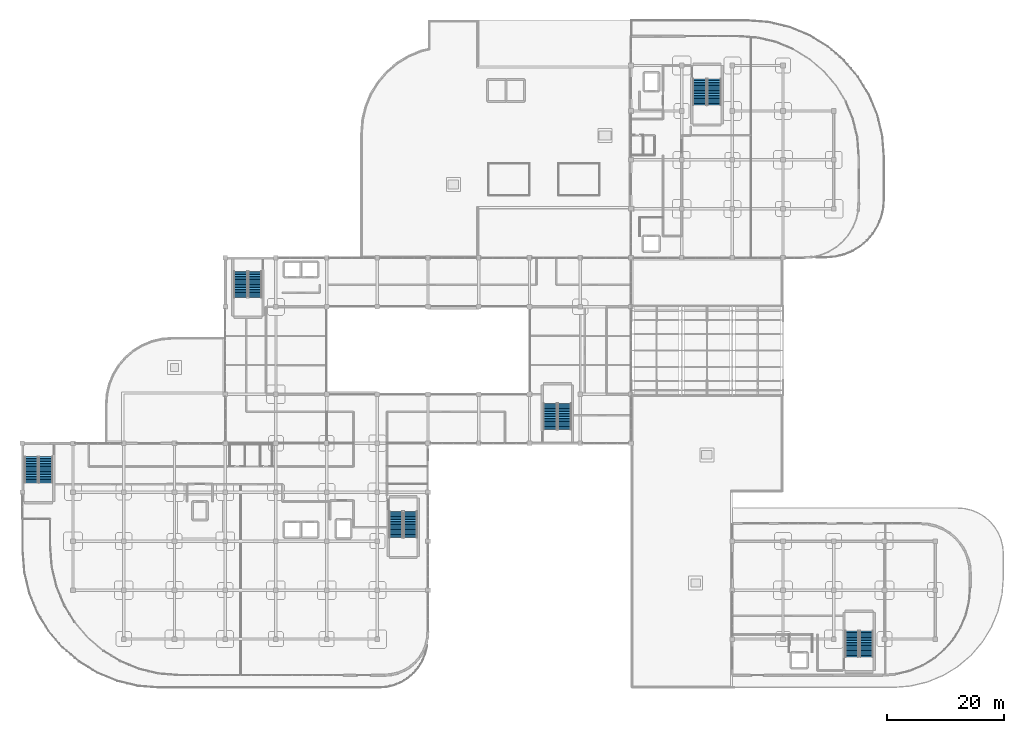
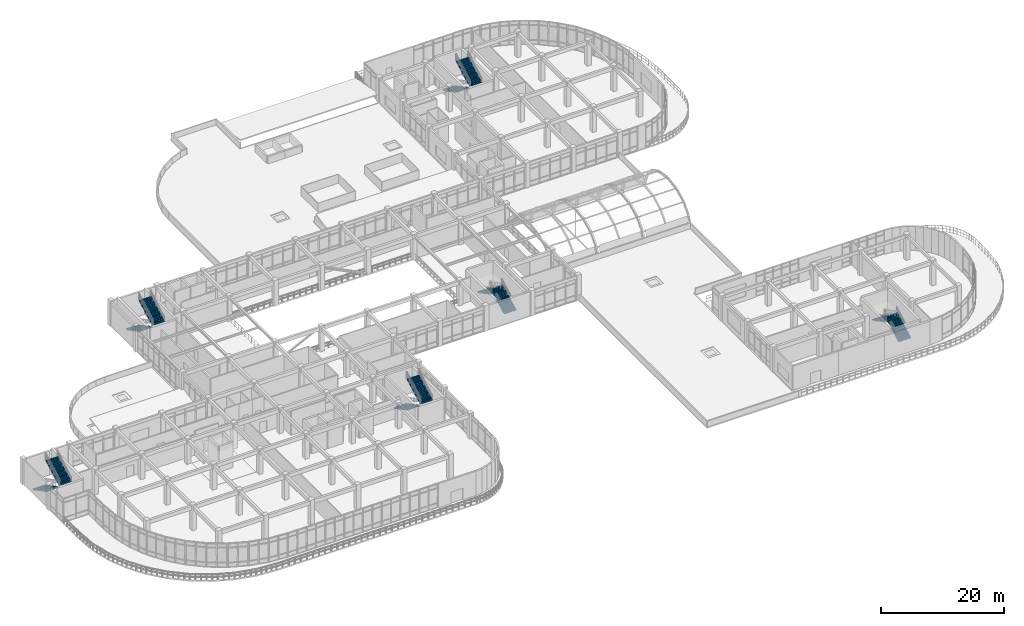
# One storey, part 112 of 124: 12 stair flights, 6 elements without a shape of their own.
"""IFC4 building model written with IfcOpenShell, lengths in metres."""

import ifcopenshell
import ifcopenshell.guid

model = None  # the IFC model being written
_history = None  # IfcOwnerHistory: only IFC2X3 demands one
_inside = {}  # id of a spatial element -> (the spatial element, [elements in it])
_under = {}  # id of a project, library or spatial element -> (it, [spatial elements below it])
_declared = {}  # id of a project -> (the project, [libraries it declares])
_typed = {}  # id of a type object -> (the type object, [elements of that type])
_made_of = {}  # id of a material, layer set ... -> (it, [elements and type objects made of it])


def new_model(schema):
    """Start an empty IFC model of exactly this schema.

    Asked for "IFC4X3", IfcOpenShell would pick the latest addendum, in which some entities
    have other attributes; the version numbers below select the first issue.
    IFC2X3 requires an IfcOwnerHistory on every rooted entity: one is made here for all.
    """
    global model, _history
    if schema == "IFC4X3":
        model = ifcopenshell.file(schema_version=(4, 3, 0, 0))
    else:
        model = ifcopenshell.file(schema=schema)
    _inside.clear()
    _under.clear()
    _declared.clear()
    _typed.clear()
    _made_of.clear()
    _history = None
    if model.schema == "IFC2X3":
        org = make("IfcOrganization", Name="unknown")
        user = make(
            "IfcPersonAndOrganization",
            ThePerson=make("IfcPerson", FamilyName="unknown"),
            TheOrganization=org,
        )
        app = make(
            "IfcApplication",
            ApplicationDeveloper=org,
            Version="unknown",
            ApplicationFullName="unknown",
            ApplicationIdentifier="unknown",
        )
        _history = make(
            "IfcOwnerHistory",
            OwningUser=user,
            OwningApplication=app,
            ChangeAction="ADDED",
            CreationDate=0,
        )
    return model


def make(cls, **values):
    """One entity of the class cls with the attributes given. An attribute that is None is left unset."""
    return model.create_entity(
        cls, **{name: value for name, value in values.items() if value is not None}
    )


def rooted(cls, **values):
    """An entity with a GlobalId (a new one), such as an element, a storey or a relation."""
    return make(cls, GlobalId=ifcopenshell.guid.new(), OwnerHistory=_history, **values)


def si_unit(unit_type, name, prefix=None):
    """IfcSIUnit, for example si_unit("LENGTHUNIT", "METRE", prefix="MILLI")."""
    return make("IfcSIUnit", UnitType=unit_type, Prefix=prefix, Name=name)


def derived_unit(unit_type, elements):
    """IfcDerivedUnit: a product of units, each with its exponent."""
    return make(
        "IfcDerivedUnit",
        Elements=[
            make("IfcDerivedUnitElement", Unit=unit, Exponent=power)
            for unit, power in elements
        ],
        UnitType=unit_type,
    )


def assignment(units):
    """IfcUnitAssignment: the units of a project."""
    return None if units is None else make("IfcUnitAssignment", Units=units)


def point(xyz):
    """IfcCartesianPoint."""
    return None if xyz is None else make("IfcCartesianPoint", Coordinates=xyz)


def direction(xyz):
    """IfcDirection."""
    return None if xyz is None else make("IfcDirection", DirectionRatios=xyz)


def frame(location, z_axis=None, x_axis=None):
    """IfcAxis2Placement3D, a coordinate frame: its origin and axes. An axis left out is left unset."""
    return make(
        "IfcAxis2Placement3D",
        Location=point(location),
        Axis=direction(z_axis),
        RefDirection=direction(x_axis),
    )


def origin():
    """The frame at (0, 0, 0) with its axes left unset."""
    return frame((0.0, 0.0, 0.0))


def place(relative_to, where):
    """IfcLocalPlacement: puts the frame where relative to a parent placement (None: the world)."""
    return make(
        "IfcLocalPlacement", PlacementRelTo=relative_to, RelativePlacement=where
    )


def context(
    kind, dimensions, precision=None, world=None, true_north=None, identifier=None
):
    """IfcGeometricRepresentationContext, for example the 3D "Model" context."""
    return make(
        "IfcGeometricRepresentationContext",
        ContextIdentifier=identifier,
        ContextType=kind,
        CoordinateSpaceDimension=dimensions,
        Precision=precision,
        WorldCoordinateSystem=world,
        TrueNorth=true_north,
    )


def subcontext(parent, identifier, kind, view, scale=None):
    """IfcGeometricRepresentationSubContext, for example "Body" below "Model"."""
    return make(
        "IfcGeometricRepresentationSubContext",
        ContextIdentifier=identifier,
        ContextType=kind,
        ParentContext=parent,
        TargetScale=scale,
        TargetView=view,
    )


def project(units=None, contexts=None):
    """IfcProject with its units and contexts."""
    return rooted(
        "IfcProject",
        Name="project",
        RepresentationContexts=contexts,
        UnitsInContext=assignment(units),
    )


def spatial(cls, under=None, at=None, **own):
    """A site, building, storey or space (cls), placed at a placement, below another one or the project."""
    s = rooted(cls, ObjectPlacement=at, **own)
    if under is not None:
        _under.setdefault(under.id(), (under, []))[1].append(s)
    return s


def polyline(points):
    """IfcPolyline through the points."""
    return make("IfcPolyline", Points=[point(p) for p in points])


def outline(outer, holes=None, kind="AREA"):
    """IfcArbitraryClosedProfileDef: a profile drawn as a closed curve; with holes, ...WithVoids."""
    if holes is None:
        return make("IfcArbitraryClosedProfileDef", ProfileType=kind, OuterCurve=outer)
    return make(
        "IfcArbitraryProfileDefWithVoids",
        ProfileType=kind,
        OuterCurve=outer,
        InnerCurves=holes,
    )


def extrude(swept, where, along, depth):
    """IfcExtrudedAreaSolid: the profile swept, set in the frame where, extruded along a direction by depth."""
    return make(
        "IfcExtrudedAreaSolid",
        SweptArea=swept,
        Position=where,
        ExtrudedDirection=direction(along),
        Depth=depth,
    )


def shape(context_of_items, identifier, shape_type, items):
    """IfcShapeRepresentation: the items that make up one representation, for example the "Body"."""
    return make(
        "IfcShapeRepresentation",
        ContextOfItems=context_of_items,
        RepresentationIdentifier=identifier,
        RepresentationType=shape_type,
        Items=items,
    )


def material(Name=None, Category=None):
    """IfcMaterial."""
    return make("IfcMaterial", Name=Name, Category=Category)


def made_of(thing, what):
    """Note that an element or type object is made of a material, layer set ...; save() writes the relation."""
    if what is not None:
        _made_of.setdefault(what.id(), (what, []))[1].append(thing)
    return thing


def type_object(cls, material=None, **own):
    """A type object (cls), such as IfcWallType, which elements share."""
    return made_of(rooted(cls, **own), material)


def element(
    cls,
    number,
    at=None,
    inside=None,
    cuts=None,
    type_object=None,
    material=None,
    context=None,
    identifier="Body",
    shape_type=None,
    held_by="IfcProductDefinitionShape",
    body=None,
    shapes=None,
    **own,
):
    """One element of the class cls, such as IfcWall. Its Tag is "e" and its number.

    at: its placement. inside: the storey or other place that contains it. cuts: it is an
    opening in that element (IfcRelVoidsElement). A single representation is given by context,
    identifier, shape_type and body (its items); several are given by shapes. held_by: the class
    of the entity that holds the representations. save() writes the other relations.
    """
    e = rooted(cls, Tag="e%d" % number, ObjectPlacement=at, **own)
    if body is not None:
        shapes = [shape(context, identifier, shape_type, body)]
    if shapes is not None:
        e.Representation = make(held_by, Representations=shapes)
    if inside is not None:
        _inside.setdefault(inside.id(), (inside, []))[1].append(e)
    if cuts is not None:
        rooted(
            "IfcRelVoidsElement", RelatingBuildingElement=cuts, RelatedOpeningElement=e
        )
    if type_object is not None:
        _typed.setdefault(type_object.id(), (type_object, []))[1].append(e)
    return made_of(e, material)


def aggregate(whole, parts):
    """IfcRelAggregates: a whole, such as a stair, and the parts it consists of."""
    return rooted("IfcRelAggregates", RelatingObject=whole, RelatedObjects=parts)


def save(model, path):
    """Write the relations noted so far, then the file.

    IfcRelAggregates (storeys below a building ...), IfcRelContainedInSpatialStructure (elements
    in a storey), IfcRelDefinesByType, IfcRelAssociatesMaterial and IfcRelDeclares: one each for
    every whole, place, type object, material and project.
    """
    for whole, parts in _under.values():
        aggregate(whole, parts)
    for where, things in _inside.values():
        rooted(
            "IfcRelContainedInSpatialStructure",
            RelatedElements=things,
            RelatingStructure=where,
        )
    for kind, things in _typed.values():
        rooted("IfcRelDefinesByType", RelatedObjects=things, RelatingType=kind)
    for what, things in _made_of.values():
        rooted("IfcRelAssociatesMaterial", RelatedObjects=things, RelatingMaterial=what)
    for by, libraries in _declared.values():
        rooted("IfcRelDeclares", RelatingContext=by, RelatedDefinitions=libraries)
    model.write(path)


model = new_model("IFC4")

# Units and contexts
model_context = context("Model", 3, precision=1e-05, world=origin(), true_north=direction((0.0, 1.0)))
body_context = subcontext(model_context, "Body", "Model", "MODEL_VIEW")
ifc_project = project(units=[si_unit("LENGTHUNIT", "METRE"), si_unit("AREAUNIT", "SQUARE_METRE"), si_unit("VOLUMEUNIT", "CUBIC_METRE"), si_unit("PLANEANGLEUNIT", "RADIAN"), si_unit("MASSUNIT", "GRAM", prefix="KILO"), derived_unit("THERMALTRANSMITTANCEUNIT", [(si_unit("MASSUNIT", "GRAM", prefix="KILO"), 1), (si_unit("TIMEUNIT", "SECOND"), -3), (si_unit("THERMODYNAMICTEMPERATUREUNIT", "KELVIN"), -1)])], contexts=[model_context])

# Site, building, storey
site_placement = place(None, origin())
site = spatial("IfcSite", under=ifc_project, at=site_placement, CompositionType="ELEMENT")
building_placement = place(site_placement, origin())
building = spatial("IfcBuilding", under=site, at=building_placement, Name="Qinzheling Arcade Emporium", CompositionType="ELEMENT")
storey_placement = place(building_placement, frame((0.0, 0.0, 16.5)))
storey = spatial("IfcBuildingStorey", under=building, at=storey_placement, Name="L04", CompositionType="ELEMENT", Elevation=16.5)

# Stair, stair flights
ifc_material = material(Name="Concrete C40", Category="concrete")
stair_type = type_object("IfcStairType", Name="Cast-in-Situ Dog-Leg Escape Stair H5100", PredefinedType="HALF_TURN_STAIR", material=ifc_material)
stair_1_placement = place(storey_placement, origin())
stair_1 = element("IfcStair", 1, at=stair_1_placement, inside=storey, type_object=stair_type, Name="L04 ST01", PredefinedType="HALF_TURN_STAIR")
stair_flight_type = type_object("IfcStairFlightType", Name="Cast-in-Situ Straight Stair Flight 150x280 H5100", PredefinedType="STRAIGHT", material=ifc_material)
stair_flight_1_placement = place(storey_placement, frame((64.110107421875, 30.280029296875, 0.0), z_axis=(0.0, 0.0, 1.0), x_axis=(0.0, -1.0, 0.0)))
stair_flight_1 = element("IfcStairFlight", 2, at=stair_flight_1_placement, type_object=stair_flight_type, Name="ST01 flight 1", NumberOfRisers=17, NumberOfTreads=16, PredefinedType="STRAIGHT", RiserHeight=0.15, TreadLength=0.28, context=body_context, shape_type="SweptSolid", body=[
    extrude(outline(polyline([(0.0, 0.0), (0.0, 0.14990234375), (0.280029296875, 0.14990234375), (0.280029296875, 0.300048828125), (0.56005859375, 0.300048828125), (0.56005859375, 0.449951171875), (0.840087890625, 0.449951171875), (0.840087890625, 0.60009765625), (1.1201171875, 0.60009765625), (1.1201171875, 0.75), (1.39990234375, 0.75), (1.39990234375, 0.89990234375), (1.679931640625, 0.89990234375), (1.679931640625, 1.050048828125), (1.9599609375, 1.050048828125), (1.9599609375, 1.199951171875), (2.239990234375, 1.199951171875), (2.239990234375, 1.35009765625), (2.52001953125, 1.35009765625), (2.52001953125, 1.5), (2.800048828125, 1.5), (2.800048828125, 1.64990234375), (3.080078125, 1.64990234375), (3.080078125, 1.800048828125), (3.360107421875, 1.800048828125), (3.360107421875, 1.949951171875), (3.639892578125, 1.949951171875), (3.639892578125, 2.10009765625), (3.919921875, 2.10009765625), (3.919921875, 2.25), (4.199951171875, 2.25), (4.199951171875, 2.39990234375), (4.47998046875, 2.39990234375), (4.47998046875, 2.550048828125), (4.47998046875, 2.218505859375), (0.338623046875, 0.0), (0.0, 0.0)])), frame((0.0, 1.16015625, 0.0), z_axis=(0.0, -1.0, 0.0), x_axis=(1.0, 0.0, 0.0)), (0.0, 0.0, 1.0), 2.320068359375),
])
stair_flight_2_placement = place(storey_placement, frame((66.580078125, 25.800048828125, 2.550048828125), z_axis=(0.0, 0.0, 1.0), x_axis=(0.0, 1.0, 0.0)))
stair_flight_2 = element("IfcStairFlight", 3, at=stair_flight_2_placement, type_object=stair_flight_type, Name="ST01 flight 2", NumberOfRisers=17, NumberOfTreads=16, PredefinedType="STRAIGHT", RiserHeight=0.15, TreadLength=0.28, context=body_context, shape_type="SweptSolid", body=[
    extrude(outline(polyline([(0.0, 0.0), (0.0, 0.14990234375), (0.280029296875, 0.14990234375), (0.280029296875, 0.300048828125), (0.56005859375, 0.300048828125), (0.56005859375, 0.449951171875), (0.840087890625, 0.449951171875), (0.840087890625, 0.60009765625), (1.1201171875, 0.60009765625), (1.1201171875, 0.75), (1.39990234375, 0.75), (1.39990234375, 0.89990234375), (1.679931640625, 0.89990234375), (1.679931640625, 1.050048828125), (1.9599609375, 1.050048828125), (1.9599609375, 1.199951171875), (2.239990234375, 1.199951171875), (2.239990234375, 1.35009765625), (2.52001953125, 1.35009765625), (2.52001953125, 1.5), (2.800048828125, 1.5), (2.800048828125, 1.64990234375), (3.080078125, 1.64990234375), (3.080078125, 1.800048828125), (3.360107421875, 1.800048828125), (3.360107421875, 1.949951171875), (3.639892578125, 1.949951171875), (3.639892578125, 2.10009765625), (3.919921875, 2.10009765625), (3.919921875, 2.25), (4.199951171875, 2.25), (4.199951171875, 2.39990234375), (4.47998046875, 2.39990234375), (4.47998046875, 2.550048828125), (4.47998046875, 2.218505859375), (0.338623046875, 0.0), (0.0, 0.0)])), frame((0.0, 1.16015625, 0.0), z_axis=(0.0, -1.0, 0.0), x_axis=(1.0, 0.0, 0.0)), (0.0, 0.0, 1.0), 2.320068359375),
])
aggregate(stair_1, [stair_flight_1, stair_flight_2])

stair_2_placement = place(storey_placement, origin())
stair_2 = element("IfcStair", 4, at=stair_2_placement, inside=storey, type_object=stair_type, Name="L04 ST02", PredefinedType="HALF_TURN_STAIR")
stair_flight_3_placement = place(storey_placement, frame((1.56005859375, 39.679931640625, 0.0), z_axis=(0.0, 0.0, 1.0), x_axis=(0.0, -1.0, 0.0)))
stair_flight_3 = element("IfcStairFlight", 5, at=stair_flight_3_placement, type_object=stair_flight_type, Name="ST02 flight 1", NumberOfRisers=17, NumberOfTreads=16, PredefinedType="STRAIGHT", RiserHeight=0.15, TreadLength=0.28, context=body_context, shape_type="SweptSolid", body=[
    extrude(outline(polyline([(0.0, 0.0), (0.0, 0.14990234375), (0.280029296875, 0.14990234375), (0.280029296875, 0.300048828125), (0.56005859375, 0.300048828125), (0.56005859375, 0.449951171875), (0.840087890625, 0.449951171875), (0.840087890625, 0.60009765625), (1.1201171875, 0.60009765625), (1.1201171875, 0.75), (1.39990234375, 0.75), (1.39990234375, 0.89990234375), (1.679931640625, 0.89990234375), (1.679931640625, 1.050048828125), (1.9599609375, 1.050048828125), (1.9599609375, 1.199951171875), (2.239990234375, 1.199951171875), (2.239990234375, 1.35009765625), (2.52001953125, 1.35009765625), (2.52001953125, 1.5), (2.800048828125, 1.5), (2.800048828125, 1.64990234375), (3.080078125, 1.64990234375), (3.080078125, 1.800048828125), (3.360107421875, 1.800048828125), (3.360107421875, 1.949951171875), (3.639892578125, 1.949951171875), (3.639892578125, 2.10009765625), (3.919921875, 2.10009765625), (3.919921875, 2.25), (4.199951171875, 2.25), (4.199951171875, 2.39990234375), (4.47998046875, 2.39990234375), (4.47998046875, 2.550048828125), (4.47998046875, 2.218505859375), (0.338623046875, 0.0), (0.0, 0.0)])), frame((0.0, 1.16015625, 0.0), z_axis=(0.0, -1.0, 0.0), x_axis=(1.0, 0.0, 0.0)), (0.0, 0.0, 1.0), 2.320068359375),
])
stair_flight_4_placement = place(storey_placement, frame((4.030029296875, 35.199951171875, 2.550048828125), z_axis=(0.0, 0.0, 1.0), x_axis=(0.0, 1.0, 0.0)))
stair_flight_4 = element("IfcStairFlight", 6, at=stair_flight_4_placement, type_object=stair_flight_type, Name="ST02 flight 2", NumberOfRisers=17, NumberOfTreads=16, PredefinedType="STRAIGHT", RiserHeight=0.15, TreadLength=0.28, context=body_context, shape_type="SweptSolid", body=[
    extrude(outline(polyline([(0.0, 0.0), (0.0, 0.14990234375), (0.280029296875, 0.14990234375), (0.280029296875, 0.300048828125), (0.56005859375, 0.300048828125), (0.56005859375, 0.449951171875), (0.840087890625, 0.449951171875), (0.840087890625, 0.60009765625), (1.1201171875, 0.60009765625), (1.1201171875, 0.75), (1.39990234375, 0.75), (1.39990234375, 0.89990234375), (1.679931640625, 0.89990234375), (1.679931640625, 1.050048828125), (1.9599609375, 1.050048828125), (1.9599609375, 1.199951171875), (2.239990234375, 1.199951171875), (2.239990234375, 1.35009765625), (2.52001953125, 1.35009765625), (2.52001953125, 1.5), (2.800048828125, 1.5), (2.800048828125, 1.64990234375), (3.080078125, 1.64990234375), (3.080078125, 1.800048828125), (3.360107421875, 1.800048828125), (3.360107421875, 1.949951171875), (3.639892578125, 1.949951171875), (3.639892578125, 2.10009765625), (3.919921875, 2.10009765625), (3.919921875, 2.25), (4.199951171875, 2.25), (4.199951171875, 2.39990234375), (4.47998046875, 2.39990234375), (4.47998046875, 2.550048828125), (4.47998046875, 2.218505859375), (0.338623046875, 0.0), (0.0, 0.0)])), frame((0.0, 1.16015625, 0.0), z_axis=(0.0, -1.0, 0.0), x_axis=(1.0, 0.0, 0.0)), (0.0, 0.0, 1.0), 2.320068359375),
])
aggregate(stair_2, [stair_flight_3, stair_flight_4])

stair_3_placement = place(storey_placement, origin())
stair_3 = element("IfcStair", 7, at=stair_3_placement, inside=storey, type_object=stair_type, Name="L04 ST03", PredefinedType="HALF_TURN_STAIR")
stair_flight_5_placement = place(storey_placement, frame((37.4599609375, 71.47998046875, 0.0), z_axis=(0.0, 0.0, 1.0), x_axis=(0.0, -1.0, 0.0)))
stair_flight_5 = element("IfcStairFlight", 8, at=stair_flight_5_placement, type_object=stair_flight_type, Name="ST03 flight 1", NumberOfRisers=17, NumberOfTreads=16, PredefinedType="STRAIGHT", RiserHeight=0.15, TreadLength=0.28, context=body_context, shape_type="SweptSolid", body=[
    extrude(outline(polyline([(0.0, 0.0), (0.0, 0.14990234375), (0.280029296875, 0.14990234375), (0.280029296875, 0.300048828125), (0.56005859375, 0.300048828125), (0.56005859375, 0.449951171875), (0.840087890625, 0.449951171875), (0.840087890625, 0.60009765625), (1.1201171875, 0.60009765625), (1.1201171875, 0.75), (1.39990234375, 0.75), (1.39990234375, 0.89990234375), (1.679931640625, 0.89990234375), (1.679931640625, 1.050048828125), (1.9599609375, 1.050048828125), (1.9599609375, 1.199951171875), (2.239990234375, 1.199951171875), (2.239990234375, 1.35009765625), (2.52001953125, 1.35009765625), (2.52001953125, 1.5), (2.800048828125, 1.5), (2.800048828125, 1.64990234375), (3.080078125, 1.64990234375), (3.080078125, 1.800048828125), (3.360107421875, 1.800048828125), (3.360107421875, 1.949951171875), (3.639892578125, 1.949951171875), (3.639892578125, 2.10009765625), (3.919921875, 2.10009765625), (3.919921875, 2.25), (4.199951171875, 2.25), (4.199951171875, 2.39990234375), (4.47998046875, 2.39990234375), (4.47998046875, 2.550048828125), (4.47998046875, 2.218505859375), (0.338623046875, 0.0), (0.0, 0.0)])), frame((0.0, 1.16015625, 0.0), z_axis=(0.0, -1.0, 0.0), x_axis=(1.0, 0.0, 0.0)), (0.0, 0.0, 1.0), 2.320068359375),
])
stair_flight_6_placement = place(storey_placement, frame((39.929931640625, 67.0, 2.550048828125), z_axis=(0.0, 0.0, 1.0), x_axis=(0.0, 1.0, 0.0)))
stair_flight_6 = element("IfcStairFlight", 9, at=stair_flight_6_placement, type_object=stair_flight_type, Name="ST03 flight 2", NumberOfRisers=17, NumberOfTreads=16, PredefinedType="STRAIGHT", RiserHeight=0.15, TreadLength=0.28, context=body_context, shape_type="SweptSolid", body=[
    extrude(outline(polyline([(0.0, 0.0), (0.0, 0.14990234375), (0.280029296875, 0.14990234375), (0.280029296875, 0.300048828125), (0.56005859375, 0.300048828125), (0.56005859375, 0.449951171875), (0.840087890625, 0.449951171875), (0.840087890625, 0.60009765625), (1.1201171875, 0.60009765625), (1.1201171875, 0.75), (1.39990234375, 0.75), (1.39990234375, 0.89990234375), (1.679931640625, 0.89990234375), (1.679931640625, 1.050048828125), (1.9599609375, 1.050048828125), (1.9599609375, 1.199951171875), (2.239990234375, 1.199951171875), (2.239990234375, 1.35009765625), (2.52001953125, 1.35009765625), (2.52001953125, 1.5), (2.800048828125, 1.5), (2.800048828125, 1.64990234375), (3.080078125, 1.64990234375), (3.080078125, 1.800048828125), (3.360107421875, 1.800048828125), (3.360107421875, 1.949951171875), (3.639892578125, 1.949951171875), (3.639892578125, 2.10009765625), (3.919921875, 2.10009765625), (3.919921875, 2.25), (4.199951171875, 2.25), (4.199951171875, 2.39990234375), (4.47998046875, 2.39990234375), (4.47998046875, 2.550048828125), (4.47998046875, 2.218505859375), (0.338623046875, 0.0), (0.0, 0.0)])), frame((0.0, 1.16015625, 0.0), z_axis=(0.0, -1.0, 0.0), x_axis=(1.0, 0.0, 0.0)), (0.0, 0.0, 1.0), 2.320068359375),
])
aggregate(stair_3, [stair_flight_5, stair_flight_6])

stair_4_placement = place(storey_placement, origin())
stair_4 = element("IfcStair", 10, at=stair_4_placement, inside=storey, type_object=stair_type, Name="L04 ST04", PredefinedType="HALF_TURN_STAIR")
stair_flight_7_placement = place(storey_placement, frame((93.030029296875, 44.320068359375, 0.0), z_axis=(0.0, 0.0, 1.0), x_axis=(0.0, 1.0, 0.0)))
stair_flight_7 = element("IfcStairFlight", 11, at=stair_flight_7_placement, type_object=stair_flight_type, Name="ST04 flight 1", NumberOfRisers=17, NumberOfTreads=16, PredefinedType="STRAIGHT", RiserHeight=0.15, TreadLength=0.28, context=body_context, shape_type="SweptSolid", body=[
    extrude(outline(polyline([(0.0, 0.0), (0.0, 0.14990234375), (0.280029296875, 0.14990234375), (0.280029296875, 0.300048828125), (0.56005859375, 0.300048828125), (0.56005859375, 0.449951171875), (0.840087890625, 0.449951171875), (0.840087890625, 0.60009765625), (1.1201171875, 0.60009765625), (1.1201171875, 0.75), (1.39990234375, 0.75), (1.39990234375, 0.89990234375), (1.679931640625, 0.89990234375), (1.679931640625, 1.050048828125), (1.9599609375, 1.050048828125), (1.9599609375, 1.199951171875), (2.239990234375, 1.199951171875), (2.239990234375, 1.35009765625), (2.52001953125, 1.35009765625), (2.52001953125, 1.5), (2.800048828125, 1.5), (2.800048828125, 1.64990234375), (3.080078125, 1.64990234375), (3.080078125, 1.800048828125), (3.360107421875, 1.800048828125), (3.360107421875, 1.949951171875), (3.639892578125, 1.949951171875), (3.639892578125, 2.10009765625), (3.919921875, 2.10009765625), (3.919921875, 2.25), (4.199951171875, 2.25), (4.199951171875, 2.39990234375), (4.47998046875, 2.39990234375), (4.47998046875, 2.550048828125), (4.47998046875, 2.218505859375), (0.338623046875, 0.0), (0.0, 0.0)])), frame((0.0, 1.16015625, 0.0), z_axis=(0.0, -1.0, 0.0), x_axis=(1.0, 0.0, 0.0)), (0.0, 0.0, 1.0), 2.320068359375),
])
stair_flight_8_placement = place(storey_placement, frame((90.56005859375, 48.800048828125, 2.550048828125), z_axis=(0.0, 0.0, 1.0), x_axis=(0.0, -1.0, 0.0)))
stair_flight_8 = element("IfcStairFlight", 12, at=stair_flight_8_placement, type_object=stair_flight_type, Name="ST04 flight 2", NumberOfRisers=17, NumberOfTreads=16, PredefinedType="STRAIGHT", RiserHeight=0.15, TreadLength=0.28, context=body_context, shape_type="SweptSolid", body=[
    extrude(outline(polyline([(0.0, 0.0), (0.0, 0.14990234375), (0.280029296875, 0.14990234375), (0.280029296875, 0.300048828125), (0.56005859375, 0.300048828125), (0.56005859375, 0.449951171875), (0.840087890625, 0.449951171875), (0.840087890625, 0.60009765625), (1.1201171875, 0.60009765625), (1.1201171875, 0.75), (1.39990234375, 0.75), (1.39990234375, 0.89990234375), (1.679931640625, 0.89990234375), (1.679931640625, 1.050048828125), (1.9599609375, 1.050048828125), (1.9599609375, 1.199951171875), (2.239990234375, 1.199951171875), (2.239990234375, 1.35009765625), (2.52001953125, 1.35009765625), (2.52001953125, 1.5), (2.800048828125, 1.5), (2.800048828125, 1.64990234375), (3.080078125, 1.64990234375), (3.080078125, 1.800048828125), (3.360107421875, 1.800048828125), (3.360107421875, 1.949951171875), (3.639892578125, 1.949951171875), (3.639892578125, 2.10009765625), (3.919921875, 2.10009765625), (3.919921875, 2.25), (4.199951171875, 2.25), (4.199951171875, 2.39990234375), (4.47998046875, 2.39990234375), (4.47998046875, 2.550048828125), (4.47998046875, 2.218505859375), (0.338623046875, 0.0), (0.0, 0.0)])), frame((0.0, 1.16015625, 0.0), z_axis=(0.0, -1.0, 0.0), x_axis=(1.0, 0.0, 0.0)), (0.0, 0.0, 1.0), 2.320068359375),
])
aggregate(stair_4, [stair_flight_7, stair_flight_8])

stair_5_placement = place(storey_placement, origin())
stair_5 = element("IfcStair", 13, at=stair_5_placement, inside=storey, type_object=stair_type, Name="L04 ST06", PredefinedType="HALF_TURN_STAIR")
stair_flight_9_placement = place(storey_placement, frame((144.784912109375, 5.320068359375, 0.0), z_axis=(0.0, 0.0, 1.0), x_axis=(0.0, 1.0, 0.0)))
stair_flight_9 = element("IfcStairFlight", 14, at=stair_flight_9_placement, type_object=stair_flight_type, Name="ST06 flight 1", NumberOfRisers=17, NumberOfTreads=16, PredefinedType="STRAIGHT", RiserHeight=0.15, TreadLength=0.28, context=body_context, shape_type="SweptSolid", body=[
    extrude(outline(polyline([(0.0, 0.0), (0.0, 0.14990234375), (0.280029296875, 0.14990234375), (0.280029296875, 0.300048828125), (0.56005859375, 0.300048828125), (0.56005859375, 0.449951171875), (0.840087890625, 0.449951171875), (0.840087890625, 0.60009765625), (1.1201171875, 0.60009765625), (1.1201171875, 0.75), (1.39990234375, 0.75), (1.39990234375, 0.89990234375), (1.679931640625, 0.89990234375), (1.679931640625, 1.050048828125), (1.9599609375, 1.050048828125), (1.9599609375, 1.199951171875), (2.239990234375, 1.199951171875), (2.239990234375, 1.35009765625), (2.52001953125, 1.35009765625), (2.52001953125, 1.5), (2.800048828125, 1.5), (2.800048828125, 1.64990234375), (3.080078125, 1.64990234375), (3.080078125, 1.800048828125), (3.360107421875, 1.800048828125), (3.360107421875, 1.949951171875), (3.639892578125, 1.949951171875), (3.639892578125, 2.10009765625), (3.919921875, 2.10009765625), (3.919921875, 2.25), (4.199951171875, 2.25), (4.199951171875, 2.39990234375), (4.47998046875, 2.39990234375), (4.47998046875, 2.550048828125), (4.47998046875, 2.218505859375), (0.338623046875, 0.0), (0.0, 0.0)])), frame((0.0, 1.16015625, 0.0), z_axis=(0.0, -1.0, 0.0), x_axis=(1.0, 0.0, 0.0)), (0.0, 0.0, 1.0), 2.320068359375),
])
stair_flight_10_placement = place(storey_placement, frame((142.31494140625, 9.800048828125, 2.550048828125), z_axis=(0.0, 0.0, 1.0), x_axis=(0.0, -1.0, 0.0)))
stair_flight_10 = element("IfcStairFlight", 15, at=stair_flight_10_placement, type_object=stair_flight_type, Name="ST06 flight 2", NumberOfRisers=17, NumberOfTreads=16, PredefinedType="STRAIGHT", RiserHeight=0.15, TreadLength=0.28, context=body_context, shape_type="SweptSolid", body=[
    extrude(outline(polyline([(0.0, 0.0), (0.0, 0.14990234375), (0.280029296875, 0.14990234375), (0.280029296875, 0.300048828125), (0.56005859375, 0.300048828125), (0.56005859375, 0.449951171875), (0.840087890625, 0.449951171875), (0.840087890625, 0.60009765625), (1.1201171875, 0.60009765625), (1.1201171875, 0.75), (1.39990234375, 0.75), (1.39990234375, 0.89990234375), (1.679931640625, 0.89990234375), (1.679931640625, 1.050048828125), (1.9599609375, 1.050048828125), (1.9599609375, 1.199951171875), (2.239990234375, 1.199951171875), (2.239990234375, 1.35009765625), (2.52001953125, 1.35009765625), (2.52001953125, 1.5), (2.800048828125, 1.5), (2.800048828125, 1.64990234375), (3.080078125, 1.64990234375), (3.080078125, 1.800048828125), (3.360107421875, 1.800048828125), (3.360107421875, 1.949951171875), (3.639892578125, 1.949951171875), (3.639892578125, 2.10009765625), (3.919921875, 2.10009765625), (3.919921875, 2.25), (4.199951171875, 2.25), (4.199951171875, 2.39990234375), (4.47998046875, 2.39990234375), (4.47998046875, 2.550048828125), (4.47998046875, 2.218505859375), (0.338623046875, 0.0), (0.0, 0.0)])), frame((0.0, 1.16015625, 0.0), z_axis=(0.0, -1.0, 0.0), x_axis=(1.0, 0.0, 0.0)), (0.0, 0.0, 1.0), 2.320068359375),
])
aggregate(stair_5, [stair_flight_9, stair_flight_10])

stair_6_placement = place(storey_placement, origin())
stair_6 = element("IfcStair", 16, at=stair_6_placement, inside=storey, type_object=stair_type, Name="L04 ST08", PredefinedType="HALF_TURN_STAIR")
stair_flight_11_placement = place(storey_placement, frame((116.215087890625, 104.47998046875, 0.0), z_axis=(0.0, 0.0, 1.0), x_axis=(0.0, -1.0, 0.0)))
stair_flight_11 = element("IfcStairFlight", 17, at=stair_flight_11_placement, type_object=stair_flight_type, Name="ST08 flight 1", NumberOfRisers=17, NumberOfTreads=16, PredefinedType="STRAIGHT", RiserHeight=0.15, TreadLength=0.28, context=body_context, shape_type="SweptSolid", body=[
    extrude(outline(polyline([(0.0, 0.0), (0.0, 0.14990234375), (0.280029296875, 0.14990234375), (0.280029296875, 0.300048828125), (0.56005859375, 0.300048828125), (0.56005859375, 0.449951171875), (0.840087890625, 0.449951171875), (0.840087890625, 0.60009765625), (1.1201171875, 0.60009765625), (1.1201171875, 0.75), (1.39990234375, 0.75), (1.39990234375, 0.89990234375), (1.679931640625, 0.89990234375), (1.679931640625, 1.050048828125), (1.9599609375, 1.050048828125), (1.9599609375, 1.199951171875), (2.239990234375, 1.199951171875), (2.239990234375, 1.35009765625), (2.52001953125, 1.35009765625), (2.52001953125, 1.5), (2.800048828125, 1.5), (2.800048828125, 1.64990234375), (3.080078125, 1.64990234375), (3.080078125, 1.800048828125), (3.360107421875, 1.800048828125), (3.360107421875, 1.949951171875), (3.639892578125, 1.949951171875), (3.639892578125, 2.10009765625), (3.919921875, 2.10009765625), (3.919921875, 2.25), (4.199951171875, 2.25), (4.199951171875, 2.39990234375), (4.47998046875, 2.39990234375), (4.47998046875, 2.550048828125), (4.47998046875, 2.218505859375), (0.338623046875, 0.0), (0.0, 0.0)])), frame((0.0, 1.16015625, 0.0), z_axis=(0.0, -1.0, 0.0), x_axis=(1.0, 0.0, 0.0)), (0.0, 0.0, 1.0), 2.320068359375),
])
stair_flight_12_placement = place(storey_placement, frame((118.68505859375, 100.0, 2.550048828125), z_axis=(0.0, 0.0, 1.0), x_axis=(0.0, 1.0, 0.0)))
stair_flight_12 = element("IfcStairFlight", 18, at=stair_flight_12_placement, type_object=stair_flight_type, Name="ST08 flight 2", NumberOfRisers=17, NumberOfTreads=16, PredefinedType="STRAIGHT", RiserHeight=0.15, TreadLength=0.28, context=body_context, shape_type="SweptSolid", body=[
    extrude(outline(polyline([(0.0, 0.0), (0.0, 0.14990234375), (0.280029296875, 0.14990234375), (0.280029296875, 0.300048828125), (0.56005859375, 0.300048828125), (0.56005859375, 0.449951171875), (0.840087890625, 0.449951171875), (0.840087890625, 0.60009765625), (1.1201171875, 0.60009765625), (1.1201171875, 0.75), (1.39990234375, 0.75), (1.39990234375, 0.89990234375), (1.679931640625, 0.89990234375), (1.679931640625, 1.050048828125), (1.9599609375, 1.050048828125), (1.9599609375, 1.199951171875), (2.239990234375, 1.199951171875), (2.239990234375, 1.35009765625), (2.52001953125, 1.35009765625), (2.52001953125, 1.5), (2.800048828125, 1.5), (2.800048828125, 1.64990234375), (3.080078125, 1.64990234375), (3.080078125, 1.800048828125), (3.360107421875, 1.800048828125), (3.360107421875, 1.949951171875), (3.639892578125, 1.949951171875), (3.639892578125, 2.10009765625), (3.919921875, 2.10009765625), (3.919921875, 2.25), (4.199951171875, 2.25), (4.199951171875, 2.39990234375), (4.47998046875, 2.39990234375), (4.47998046875, 2.550048828125), (4.47998046875, 2.218505859375), (0.338623046875, 0.0), (0.0, 0.0)])), frame((0.0, 1.16015625, 0.0), z_axis=(0.0, -1.0, 0.0), x_axis=(1.0, 0.0, 0.0)), (0.0, 0.0, 1.0), 2.320068359375),
])
aggregate(stair_6, [stair_flight_11, stair_flight_12])

save(model, "model.ifc")
